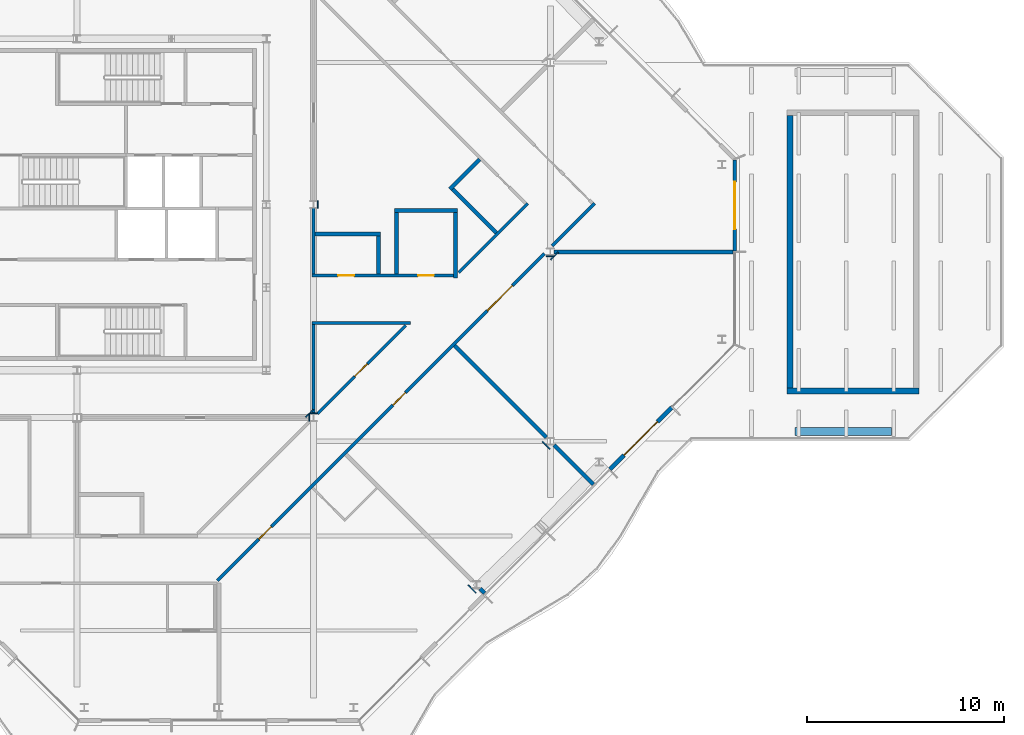
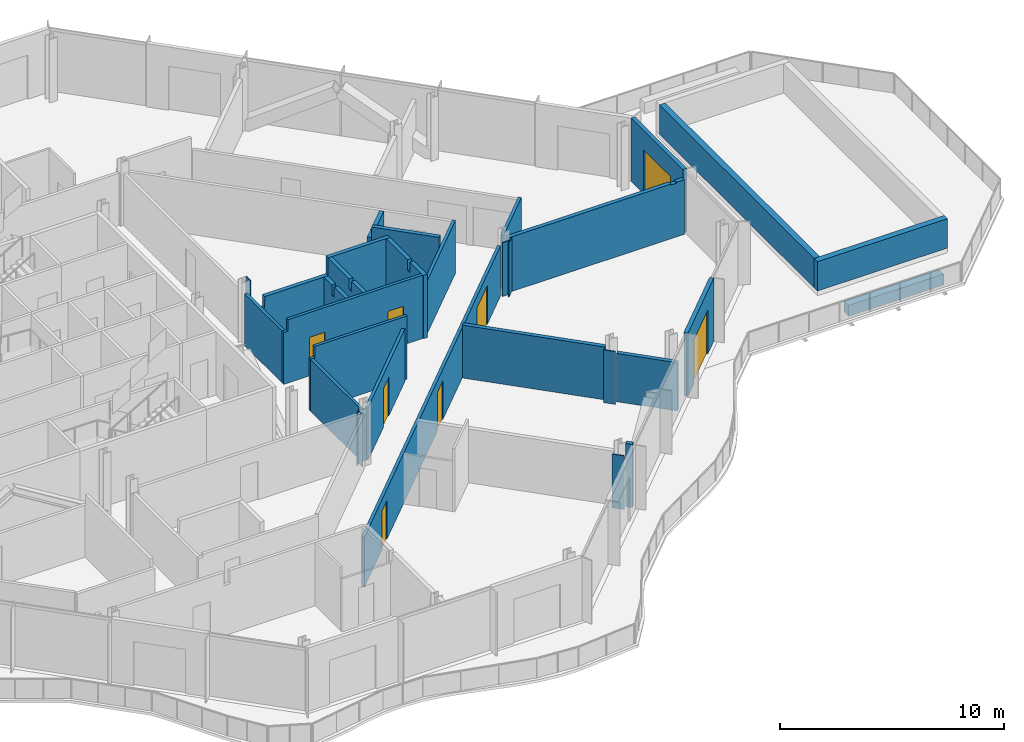
# One storey, part 9 of 16: 32 walls, 8 doors, 8 openings.
"""IFC4 building model written with IfcOpenShell, lengths in metres."""

from ifc_helpers import new_model, si_unit, direction, frame, frame_2d, origin, place, context, subcontext, project, spatial, polyline, rectangle, outline, extrude, material, layer, layer_set, type_object, element, fill, save


model = new_model("IFC4")

# Units and contexts
model_context = context("Model", 3, precision=1e-05, world=origin(), true_north=direction((0.0, 1.0)))
body_context = subcontext(model_context, "Body", "Model", "MODEL_VIEW")
ifc_project = project(units=[si_unit("LENGTHUNIT", "METRE"), si_unit("AREAUNIT", "SQUARE_METRE"), si_unit("VOLUMEUNIT", "CUBIC_METRE"), si_unit("PLANEANGLEUNIT", "RADIAN"), si_unit("MASSUNIT", "GRAM", prefix="KILO")], contexts=[model_context])

# Site, building, storey
site_placement = place(None, origin())
site = spatial("IfcSite", under=ifc_project, at=site_placement, CompositionType="ELEMENT")
building_placement = place(site_placement, origin())
building = spatial("IfcBuilding", under=site, at=building_placement, Name="Cairn Pilgrim Tower", CompositionType="ELEMENT")
storey_placement = place(building_placement, frame((0.0, 0.0, 267.0)))
storey = spatial("IfcBuildingStorey", under=building, at=storey_placement, Name="L68", CompositionType="ELEMENT", Elevation=267.0)

# Wall, opening, door
ifc_material_1 = material(Name="Bronze anodised aluminium insulated sandwich panel with mineral wool fill", Category="aluminium")
ifc_layer_1 = layer(ifc_material_1, 0.199951171875)
ifc_layer_set_1 = layer_set([ifc_layer_1], Name="BRONZE INFILL FRAME WALL 200")
wall_type_1 = type_object("IfcWallType", Name="BRONZE INFILL FRAME WALL 200", PredefinedType="NOTDEFINED", material=ifc_layer_set_1)
wall_1_placement = place(storey_placement, frame((34.219970703125, -11.0263671875, 0.0), z_axis=(0.0, 0.0, 1.0), x_axis=(0.707134329907, 0.707079231393, 0.0)))
wall_1 = element("IfcWall", 1, at=wall_1_placement, inside=storey, type_object=wall_type_1, Name="Bronze infill frame wall IW-SE5", PredefinedType="NOTDEFINED", context=body_context, shape_type="SweptSolid", body=[
    extrude(rectangle(XDim=4.430908203125, YDim=0.199951171875, at=frame_2d((2.21533203125, 0.0))), origin(), (0.0, 0.0, 1.0), 3.449951171875),
])
opening_1_placement = place(wall_1_placement, frame((1.01513671875, 0.0, 0.0)))
opening_1 = element("IfcOpeningElement", 2, at=opening_1_placement, cuts=wall_1, Name="Opening 6802B", PredefinedType="OPENING", context=body_context, shape_type="SweptSolid", body=[
    extrude(rectangle(XDim=2.39990234375, YDim=2.39990234375, at=frame_2d((1.199951171875, 1.199951171875))), frame((0.0, 0.10986328125, 0.0), z_axis=(0.0, -1.0, 0.0), x_axis=(1.0, 0.0, 0.0)), (0.0, 0.0, 1.0), 0.219970703125),
])
ifc_material_2 = material(Name="Bronze anodised aluminium frame with tinted low-E glass", Category="aluminium")
door_type_1 = type_object("IfcDoorType", Name="BALCONY SLIDING DOOR 2400x2400", OperationType="DOUBLE_DOOR_SLIDING", PredefinedType="DOOR", material=ifc_material_2)
door_1_placement = place(opening_1_placement, origin())
door_1 = element("IfcDoor", 3, at=door_1_placement, inside=storey, type_object=door_type_1, Name="Balcony sliding door 6802B", OperationType="SINGLE_SWING_LEFT", OverallHeight=2.39990234375, OverallWidth=2.39990234375, PredefinedType="DOOR", context=body_context, shape_type="SweptSolid", body=[
    extrude(rectangle(XDim=2.39990234375, YDim=2.39990234375, at=frame_2d((1.199951171875, 1.199951171875))), frame((0.0, 0.02490234375, 0.0), z_axis=(0.0, -1.0, 0.0), x_axis=(1.0, 0.0, 0.0)), (0.0, 0.0, 1.0), 0.050048828125),
])
fill(opening_1, door_1)

wall_2_placement = place(storey_placement, frame((40.550048828125, 0.030029296875, 0.0), z_axis=(0.0, 0.0, 1.0), x_axis=(0.0, 1.0, 0.0)))
wall_2 = element("IfcWall", 4, at=wall_2_placement, inside=storey, type_object=wall_type_1, Name="Bronze infill frame wall IW-E2", PredefinedType="NOTDEFINED", context=body_context, shape_type="SweptSolid", body=[
    extrude(rectangle(XDim=4.62646484375, YDim=0.199951171875, at=frame_2d((2.313232421875, 0.0))), origin(), (0.0, 0.0, 1.0), 3.449951171875),
])
opening_2_placement = place(wall_2_placement, frame((1.117919921875, 0.0, 0.0)))
opening_2 = element("IfcOpeningElement", 5, at=opening_2_placement, cuts=wall_2, Name="Opening 6801B2", PredefinedType="OPENING", context=body_context, shape_type="SweptSolid", body=[
    extrude(rectangle(XDim=2.39990234375, YDim=2.39990234375, at=frame_2d((1.199951171875, 1.199951171875))), frame((0.0, 0.10986328125, 0.0), z_axis=(0.0, -1.0, 0.0), x_axis=(1.0, 0.0, 0.0)), (0.0, 0.0, 1.0), 0.219970703125),
])
door_2_placement = place(opening_2_placement, origin())
door_2 = element("IfcDoor", 6, at=door_2_placement, inside=storey, type_object=door_type_1, Name="Balcony sliding door 6801B2", OperationType="SINGLE_SWING_LEFT", OverallHeight=2.39990234375, OverallWidth=2.39990234375, PredefinedType="DOOR", context=body_context, shape_type="SweptSolid", body=[
    extrude(rectangle(XDim=2.39990234375, YDim=2.39990234375, at=frame_2d((1.199951171875, 1.199951171875))), frame((0.0, 0.02490234375, 0.0), z_axis=(0.0, -1.0, 0.0), x_axis=(1.0, 0.0, 0.0)), (0.0, 0.0, 1.0), 0.050048828125),
])
fill(opening_2, door_2)

# Wall, openings, doors
ifc_material_3 = material(Name="Gypsum partition")
ifc_layer_2 = layer(ifc_material_3, 0.14990234375)
ifc_layer_set_2 = layer_set([ifc_layer_2], Name="PARTITION 150 DRYWALL EI 60")
wall_type_2 = type_object("IfcWallType", Name="PARTITION 150 DRYWALL EI 60", PredefinedType="PARTITIONING", material=ifc_layer_set_2)
wall_3_placement = place(storey_placement, frame((14.322021484375, -16.672119140625, 0.0), z_axis=(0.0, 0.0, 1.0), x_axis=(0.707106781187, 0.707106781187, 0.0)))
wall_3 = element("IfcWall", 7, at=wall_3_placement, inside=storey, type_object=wall_type_2, Name="PARTITION W009", PredefinedType="PARTITIONING", context=body_context, shape_type="SweptSolid", body=[
    extrude(rectangle(XDim=23.45166015625, YDim=0.14990234375, at=frame_2d((11.725830078125, 0.0))), origin(), (0.0, 0.0, 1.0), 2.72998046875),
])
opening_3_placement = place(wall_3_placement, frame((19.356689453125, 0.0, 0.0)))
opening_3 = element("IfcOpeningElement", 8, at=opening_3_placement, cuts=wall_3, Name="Opening 6802", PredefinedType="OPENING", context=body_context, shape_type="SweptSolid", body=[
    extrude(rectangle(XDim=1.800048828125, YDim=2.10009765625, at=frame_2d((0.89990234375, 1.050048828125))), frame((0.0, 0.0849609375, 0.0), z_axis=(0.0, -1.0, 0.0), x_axis=(1.0, 0.0, 0.0)), (0.0, 0.0, 1.0), 0.169921875),
])
opening_4_placement = place(wall_3_placement, frame((2.97509765625, 0.0, 0.0)))
opening_4 = element("IfcOpeningElement", 9, at=opening_4_placement, cuts=wall_3, Name="Opening 6803", PredefinedType="OPENING", context=body_context, shape_type="SweptSolid", body=[
    extrude(rectangle(XDim=0.89990234375, YDim=2.10009765625, at=frame_2d((0.449951171875, 1.050048828125))), frame((0.0, 0.0849609375, 0.0), z_axis=(0.0, -1.0, 0.0), x_axis=(1.0, 0.0, 0.0)), (0.0, 0.0, 1.0), 0.169921875),
])
opening_5_placement = place(wall_3_placement, frame((12.587158203125, 0.0, 0.0)))
opening_5 = element("IfcOpeningElement", 10, at=opening_5_placement, cuts=wall_3, Name="Opening 6804", PredefinedType="OPENING", context=body_context, shape_type="SweptSolid", body=[
    extrude(rectangle(XDim=0.89990234375, YDim=2.10009765625, at=frame_2d((0.449951171875, 1.050048828125))), frame((0.0, 0.0849609375, 0.0), z_axis=(0.0, -1.0, 0.0), x_axis=(1.0, 0.0, 0.0)), (0.0, 0.0, 1.0), 0.169921875),
])
ifc_material_4 = material(Name="Timber door leaf", Category="wood")
door_type_2 = type_object("IfcDoorType", Name="DOOR PAIR 1800x2100 FD60S", OperationType="NOTDEFINED", PredefinedType="DOOR", material=ifc_material_4)
door_3_placement = place(opening_3_placement, frame((1.800048828125, 0.0, 0.0), z_axis=(0.0, 0.0, 1.0), x_axis=(-1.0, 0.0, 0.0)))
door_3 = element("IfcDoor", 11, at=door_3_placement, inside=storey, type_object=door_type_2, Name="DOOR 6802", OperationType="DOUBLE_DOOR_SINGLE_SWING", OverallHeight=2.10009765625, OverallWidth=1.800048828125, PredefinedType="DOOR", context=body_context, shape_type="SweptSolid", body=[
    extrude(rectangle(XDim=1.800048828125, YDim=2.10009765625, at=frame_2d((0.89990234375, 1.050048828125))), frame((0.0, 0.02490234375, 0.0), z_axis=(0.0, -1.0, 0.0), x_axis=(1.0, 0.0, 0.0)), (0.0, 0.0, 1.0), 0.050048828125),
])
fill(opening_3, door_3)
door_type_3 = type_object("IfcDoorType", Name="ROOM DOOR 900x2100 FD30S", OperationType="NOTDEFINED", PredefinedType="DOOR", material=ifc_material_4)
door_4_placement = place(opening_4_placement, frame((0.89990234375, 0.0, 0.0), z_axis=(0.0, 0.0, 1.0), x_axis=(-1.0, 0.0, 0.0)))
door_4 = element("IfcDoor", 12, at=door_4_placement, inside=storey, type_object=door_type_3, Name="DOOR 6803", OperationType="SINGLE_SWING_RIGHT", OverallHeight=2.10009765625, OverallWidth=0.89990234375, PredefinedType="DOOR", context=body_context, shape_type="SweptSolid", body=[
    extrude(rectangle(XDim=0.89990234375, YDim=2.10009765625, at=frame_2d((0.449951171875, 1.050048828125))), frame((0.0, 0.02490234375, 0.0), z_axis=(0.0, -1.0, 0.0), x_axis=(1.0, 0.0, 0.0)), (0.0, 0.0, 1.0), 0.050048828125),
])
fill(opening_4, door_4)
door_type_4 = type_object("IfcDoorType", Name="SERVICE DOOR 900x2100 FD30S", OperationType="NOTDEFINED", PredefinedType="DOOR", material=ifc_material_4)
door_5_placement = place(opening_5_placement, frame((0.89990234375, 0.0, 0.0), z_axis=(0.0, 0.0, 1.0), x_axis=(-1.0, 0.0, 0.0)))
door_5 = element("IfcDoor", 13, at=door_5_placement, inside=storey, type_object=door_type_4, Name="DOOR 6804", OperationType="SINGLE_SWING_RIGHT", OverallHeight=2.10009765625, OverallWidth=0.89990234375, PredefinedType="DOOR", context=body_context, shape_type="SweptSolid", body=[
    extrude(rectangle(XDim=0.89990234375, YDim=2.10009765625, at=frame_2d((0.449951171875, 1.050048828125))), frame((0.0, 0.02490234375, 0.0), z_axis=(0.0, -1.0, 0.0), x_axis=(1.0, 0.0, 0.0)), (0.0, 0.0, 1.0), 0.050048828125),
])
fill(opening_5, door_5)

# Wall
wall_4_placement = place(storey_placement, frame((19.199951171875, -8.21240234375, 0.0), z_axis=(0.0, 0.0, 1.0), x_axis=(0.0, 1.0, 0.0)))
element("IfcWall", 14, at=wall_4_placement, inside=storey, type_object=wall_type_2, Name="PARTITION W028", PredefinedType="PARTITIONING", context=body_context, shape_type="SweptSolid", body=[
    extrude(rectangle(XDim=4.537353515625, YDim=0.14990234375, at=frame_2d((2.2685546875, 0.0))), origin(), (0.0, 0.0, 1.0), 2.830078125),
])

# Wall, opening, door
wall_5_placement = place(storey_placement, frame((19.392333984375, -8.207763671875, 0.0), z_axis=(0.0, 0.0, 1.0), x_axis=(0.707106781187, 0.707106781187, 0.0)))
wall_5 = element("IfcWall", 15, at=wall_5_placement, inside=storey, type_object=wall_type_2, Name="PARTITION W029", PredefinedType="PARTITIONING", context=body_context, shape_type="SweptSolid", body=[
    extrude(rectangle(XDim=6.335205078125, YDim=0.14990234375, at=frame_2d((3.16748046875, 0.0))), origin(), (0.0, 0.0, 1.0), 2.8798828125),
])
opening_6_placement = place(wall_5_placement, frame((2.672119140625, 0.0, 0.0)))
opening_6 = element("IfcOpeningElement", 16, at=opening_6_placement, cuts=wall_5, Name="Opening 6814", PredefinedType="OPENING", context=body_context, shape_type="SweptSolid", body=[
    extrude(rectangle(XDim=0.89990234375, YDim=2.10009765625, at=frame_2d((0.449951171875, 1.050048828125))), frame((0.0, 0.0849609375, 0.0), z_axis=(0.0, -1.0, 0.0), x_axis=(1.0, 0.0, 0.0)), (0.0, 0.0, 1.0), 0.169921875),
])
door_6_placement = place(opening_6_placement, origin())
door_6 = element("IfcDoor", 17, at=door_6_placement, inside=storey, type_object=door_type_4, Name="DOOR 6814", OperationType="SINGLE_SWING_LEFT", OverallHeight=2.10009765625, OverallWidth=0.89990234375, PredefinedType="DOOR", context=body_context, shape_type="SweptSolid", body=[
    extrude(rectangle(XDim=0.89990234375, YDim=2.10009765625, at=frame_2d((0.449951171875, 1.050048828125))), frame((0.0, 0.02490234375, 0.0), z_axis=(0.0, -1.0, 0.0), x_axis=(1.0, 0.0, 0.0)), (0.0, 0.0, 1.0), 0.050048828125),
])
fill(opening_6, door_6)

# Wall
wall_6_placement = place(storey_placement, frame((19.125, -3.60009765625, 0.0), z_axis=(0.0, 0.0, 1.0), x_axis=(1.0, 0.0, 0.0)))
element("IfcWall", 18, at=wall_6_placement, inside=storey, type_object=wall_type_2, Name="PARTITION W030", PredefinedType="PARTITIONING", context=body_context, shape_type="SweptSolid", body=[
    extrude(outline(polyline([(0.0, 0.0), (4.981201171875, 0.0), (4.981201171875, 3.449951171875), (0.22509765625, 3.449951171875), (0.222900390625, 2.830078125), (0.0, 2.830078125), (0.0, 0.0)])), frame((0.0, 0.074951171875, 0.0), z_axis=(0.0, -1.0, 0.0), x_axis=(1.0, 0.0, 0.0)), (0.0, 0.0, 1.0), 0.14990234375),
])

# Wall, openings, doors
wall_7_placement = place(storey_placement, frame((19.125, -1.199951171875, 0.0), z_axis=(0.0, 0.0, 1.0), x_axis=(1.0, 0.0, 0.0)))
wall_7 = element("IfcWall", 19, at=wall_7_placement, inside=storey, type_object=wall_type_2, Name="PARTITION W032", PredefinedType="PARTITIONING", context=body_context, shape_type="SweptSolid", body=[
    extrude(outline(polyline([(0.0, 0.0), (7.175048828125, 0.0), (7.175048828125, 3.449951171875), (0.22509765625, 3.449951171875), (0.222900390625, 2.830078125), (0.0, 2.830078125), (0.0, 0.0)])), frame((0.0, 0.074951171875, 0.0), z_axis=(0.0, -1.0, 0.0), x_axis=(1.0, 0.0, 0.0)), (0.0, 0.0, 1.0), 0.14990234375),
])
opening_7_placement = place(wall_7_placement, frame((5.375, 0.0, 0.0)))
opening_7 = element("IfcOpeningElement", 20, at=opening_7_placement, cuts=wall_7, Name="Opening 6810", PredefinedType="OPENING", context=body_context, shape_type="SweptSolid", body=[
    extrude(rectangle(XDim=0.800048828125, YDim=2.10009765625, at=frame_2d((0.39990234375, 1.050048828125))), frame((0.0, 0.0849609375, 0.0), z_axis=(0.0, -1.0, 0.0), x_axis=(1.0, 0.0, 0.0)), (0.0, 0.0, 1.0), 0.169921875),
])
opening_8_placement = place(wall_7_placement, frame((1.324951171875, 0.0, 0.0)))
opening_8 = element("IfcOpeningElement", 21, at=opening_8_placement, cuts=wall_7, Name="Opening 6811", PredefinedType="OPENING", context=body_context, shape_type="SweptSolid", body=[
    extrude(rectangle(XDim=0.800048828125, YDim=2.10009765625, at=frame_2d((0.39990234375, 1.050048828125))), frame((0.0, 0.0849609375, 0.0), z_axis=(0.0, -1.0, 0.0), x_axis=(1.0, 0.0, 0.0)), (0.0, 0.0, 1.0), 0.169921875),
])
door_type_5 = type_object("IfcDoorType", Name="WC DOOR 800x2100 FD30S", OperationType="NOTDEFINED", PredefinedType="DOOR", material=ifc_material_4)
door_7_placement = place(opening_7_placement, origin())
door_7 = element("IfcDoor", 22, at=door_7_placement, inside=storey, type_object=door_type_5, Name="DOOR 6810", OperationType="SINGLE_SWING_LEFT", OverallHeight=2.10009765625, OverallWidth=0.800048828125, PredefinedType="DOOR", context=body_context, shape_type="SweptSolid", body=[
    extrude(rectangle(XDim=0.800048828125, YDim=2.10009765625, at=frame_2d((0.39990234375, 1.050048828125))), frame((0.0, 0.02490234375, 0.0), z_axis=(0.0, -1.0, 0.0), x_axis=(1.0, 0.0, 0.0)), (0.0, 0.0, 1.0), 0.050048828125),
])
fill(opening_7, door_7)
door_8_placement = place(opening_8_placement, origin())
door_8 = element("IfcDoor", 23, at=door_8_placement, inside=storey, type_object=door_type_5, Name="DOOR 6811", OperationType="SINGLE_SWING_LEFT", OverallHeight=2.10009765625, OverallWidth=0.800048828125, PredefinedType="DOOR", context=body_context, shape_type="SweptSolid", body=[
    extrude(rectangle(XDim=0.800048828125, YDim=2.10009765625, at=frame_2d((0.39990234375, 1.050048828125))), frame((0.0, 0.02490234375, 0.0), z_axis=(0.0, -1.0, 0.0), x_axis=(1.0, 0.0, 0.0)), (0.0, 0.0, 1.0), 0.050048828125),
])
fill(opening_8, door_8)

# Walls
wall_8_placement = place(storey_placement, frame((19.199951171875, -1.125, 0.0), z_axis=(0.0, 0.0, 1.0), x_axis=(0.0, 1.0, 0.0)))
element("IfcWall", 24, at=wall_8_placement, inside=storey, type_object=wall_type_2, Name="PARTITION W033", PredefinedType="PARTITIONING", context=body_context, shape_type="SweptSolid", body=[
    extrude(rectangle(XDim=3.33740234375, YDim=0.14990234375, at=frame_2d((1.668701171875, 0.0))), origin(), (0.0, 0.0, 1.0), 2.830078125),
])
wall_9_placement = place(storey_placement, frame((26.552978515625, -1.047119140625, 0.0), z_axis=(0.0, 0.0, 1.0), x_axis=(0.707106781187, 0.707106781187, 0.0)))
element("IfcWall", 25, at=wall_9_placement, inside=storey, type_object=wall_type_2, Name="PARTITION W036", PredefinedType="PARTITIONING", context=body_context, shape_type="SweptSolid", body=[
    extrude(rectangle(XDim=4.94970703125, YDim=0.14990234375, at=frame_2d((2.474853515625, 0.0))), origin(), (0.0, 0.0, 1.0), 2.8798828125),
])
wall_10_placement = place(storey_placement, frame((31.289306640625, 0.29541015625, 0.0), z_axis=(0.0, 0.0, 1.0), x_axis=(0.707146786096, 0.707066774014, 0.0)))
element("IfcWall", 26, at=wall_10_placement, inside=storey, type_object=wall_type_2, Name="PARTITION W038", PredefinedType="PARTITIONING", context=body_context, shape_type="SweptSolid", body=[
    extrude(rectangle(XDim=3.05126953125, YDim=0.14990234375, at=frame_2d((1.525634765625, 0.0))), origin(), (0.0, 0.0, 1.0), 2.929931640625),
])
ifc_layer_3 = layer(ifc_material_3, 0.050048828125)
ifc_layer_set_3 = layer_set([ifc_layer_3], Name="PARTITION 50 DRYWALL EI 60")
wall_type_3 = type_object("IfcWallType", Name="PARTITION 50 DRYWALL EI 60", PredefinedType="PARTITIONING", material=ifc_layer_set_3)
wall_11_placement = place(storey_placement, frame((27.433837890625, -17.289306640625, 0.0), z_axis=(0.0, 0.0, 1.0), x_axis=(-0.707106781187, 0.707106781187, 0.0)))
element("IfcWall", 27, at=wall_11_placement, inside=storey, type_object=wall_type_3, Name="COLUMN CASING WC02", PredefinedType="PARTITIONING", context=body_context, shape_type="SweptSolid", body=[
    extrude(rectangle(XDim=0.56005859375, YDim=0.050048828125, at=frame_2d((0.280029296875, 0.0))), origin(), (0.0, 0.0, 1.0), 2.929931640625),
])
wall_12_placement = place(storey_placement, frame((31.2177734375, -0.402099609375, 0.0), z_axis=(0.0, 0.0, 1.0), x_axis=(0.707106781187, 0.707106781187, 0.0)))
element("IfcWall", 28, at=wall_12_placement, inside=storey, type_object=wall_type_3, Name="COLUMN CASING WC04", PredefinedType="PARTITIONING", context=body_context, shape_type="SweptSolid", body=[
    extrude(rectangle(XDim=0.543701171875, YDim=0.050048828125, at=frame_2d((0.27197265625, 0.0))), origin(), (0.0, 0.0, 1.0), 2.929931640625),
])
wall_13_placement = place(storey_placement, frame((18.7978515625, -8.38232421875, 0.0), z_axis=(0.0, 0.0, 1.0), x_axis=(0.707106781187, 0.707106781187, 0.0)))
element("IfcWall", 29, at=wall_13_placement, inside=storey, type_object=wall_type_3, Name="COLUMN CASING WC06", PredefinedType="PARTITIONING", context=body_context, shape_type="SweptSolid", body=[
    extrude(rectangle(XDim=0.543701171875, YDim=0.050048828125, at=frame_2d((0.27197265625, 0.0))), origin(), (0.0, 0.0, 1.0), 2.830078125),
])
wall_14_placement = place(storey_placement, frame((31.182373046875, -10.002197265625, 0.0), z_axis=(0.0, 0.0, 1.0), x_axis=(-0.707106781187, 0.707106781187, 0.0)))
element("IfcWall", 30, at=wall_14_placement, inside=storey, type_object=wall_type_3, Name="COLUMN CASING WC07", PredefinedType="PARTITIONING", context=body_context, shape_type="SweptSolid", body=[
    extrude(rectangle(XDim=0.543701171875, YDim=0.050048828125, at=frame_2d((0.27197265625, 0.0))), origin(), (0.0, 0.0, 1.0), 2.8798828125),
])
wall_15_placement = place(storey_placement, frame((19.0029296875, -8.1875, 0.0), z_axis=(0.0, 0.0, 1.0), x_axis=(1.0, 0.0, 0.0)))
element("IfcWall", 31, at=wall_15_placement, inside=storey, type_object=wall_type_3, Name="COLUMN CASING WC14", PredefinedType="PARTITIONING", context=body_context, shape_type="SweptSolid", body=[
    extrude(rectangle(XDim=0.39404296875, YDim=0.050048828125, at=frame_2d((0.197021484375, 0.0))), origin(), (0.0, 0.0, 1.0), 2.830078125),
])
wall_16_placement = place(storey_placement, frame((18.97802734375, -8.58740234375, 0.0), z_axis=(0.0, 0.0, 1.0), x_axis=(0.0, 1.0, 0.0)))
element("IfcWall", 32, at=wall_16_placement, inside=storey, type_object=wall_type_3, Name="COLUMN CASING WC15", PredefinedType="PARTITIONING", context=body_context, shape_type="SweptSolid", body=[
    extrude(rectangle(XDim=0.375, YDim=0.050048828125, at=frame_2d((0.1875, 0.0))), origin(), (0.0, 0.0, 1.0), 2.830078125),
])
wall_17_placement = place(storey_placement, frame((19.422119140625, 2.21240234375, 0.0), z_axis=(0.0, 0.0, 1.0), x_axis=(0.0, 1.0, 0.0)))
element("IfcWall", 33, at=wall_17_placement, inside=storey, type_object=wall_type_3, Name="COLUMN CASING WC16", PredefinedType="PARTITIONING", context=body_context, shape_type="SweptSolid", body=[
    extrude(rectangle(XDim=0.375, YDim=0.050048828125, at=frame_2d((0.1875, 0.0))), origin(), (0.0, 0.0, 1.0), 3.449951171875),
])
wall_18_placement = place(storey_placement, frame((31.0029296875, -0.21240234375, 0.0), z_axis=(0.0, 0.0, 1.0), x_axis=(1.0, 0.0, 0.0)))
element("IfcWall", 34, at=wall_18_placement, inside=storey, type_object=wall_type_3, Name="COLUMN CASING WC18", PredefinedType="PARTITIONING", context=body_context, shape_type="SweptSolid", body=[
    extrude(rectangle(XDim=0.39404296875, YDim=0.050048828125, at=frame_2d((0.197021484375, 0.0))), origin(), (0.0, 0.0, 1.0), 2.929931640625),
])
ifc_material_5 = material(Name="Concrete C35/45", Category="concrete")
ifc_layer_4 = layer(ifc_material_5, 0.39990234375)
ifc_layer_set_4 = layer_set([ifc_layer_4], Name="PLANTER TROUGH WALL 400 CONCRETE C35/45")
wall_type_4 = type_object("IfcWallType", Name="PLANTER TROUGH WALL 400 CONCRETE C35/45", PredefinedType="NOTDEFINED", material=ifc_layer_set_4)
wall_19_placement = place(storey_placement, frame((43.60009765625, -9.10009765625, 0.0), z_axis=(0.0, 0.0, 1.0), x_axis=(1.0, 0.0, 0.0)))
element("IfcWall", 35, at=wall_19_placement, inside=storey, type_object=wall_type_4, Name="Planter trough PL-S", PredefinedType="NOTDEFINED", context=body_context, shape_type="SweptSolid", body=[
    extrude(rectangle(XDim=4.89990234375, YDim=0.39990234375, at=frame_2d((2.449951171875, 0.0))), origin(), (0.0, 0.0, 1.0), 0.60009765625),
])
ifc_layer_5 = layer(ifc_material_3, 0.199951171875)
ifc_layer_set_5 = layer_set([ifc_layer_5], Name="SHAFT WALL 200 GYPSUM EI 60")
wall_type_5 = type_object("IfcWallType", Name="SHAFT WALL 200 GYPSUM EI 60", PredefinedType="PARTITIONING", material=ifc_layer_set_5)
wall_20_placement = place(storey_placement, frame((27.868896484375, -17.292724609375, 0.0), z_axis=(0.0, 0.0, 1.0), x_axis=(-0.707106781187, 0.707106781187, 0.0)))
element("IfcWall", 36, at=wall_20_placement, inside=storey, type_object=wall_type_5, Name="PARTITION W006", PredefinedType="PARTITIONING", context=body_context, shape_type="SweptSolid", body=[
    extrude(rectangle(XDim=0.31005859375, YDim=0.199951171875, at=frame_2d((0.155029296875, 0.0))), origin(), (0.0, 0.0, 1.0), 3.449951171875),
])
wall_21_placement = place(storey_placement, frame((33.380859375, -11.78076171875, 0.0), z_axis=(0.0, 0.0, 1.0), x_axis=(-0.707106781187, 0.707106781187, 0.0)))
element("IfcWall", 37, at=wall_21_placement, inside=storey, type_object=wall_type_5, Name="PARTITION W021", PredefinedType="PARTITIONING", context=body_context, shape_type="SweptSolid", body=[
    extrude(rectangle(XDim=2.812255859375, YDim=0.199951171875, at=frame_2d((1.40625, 0.0))), origin(), (0.0, 0.0, 1.0), 2.6298828125),
])
wall_22_placement = place(storey_placement, frame((31.0078125, -9.40771484375, 0.0), z_axis=(0.0, 0.0, 1.0), x_axis=(-0.707106781187, 0.707106781187, 0.0)))
element("IfcWall", 38, at=wall_22_placement, inside=storey, type_object=wall_type_5, Name="PARTITION W024", PredefinedType="PARTITIONING", context=body_context, shape_type="SweptSolid", body=[
    extrude(rectangle(XDim=6.5869140625, YDim=0.199951171875, at=frame_2d((3.29345703125, 0.0))), origin(), (0.0, 0.0, 1.0), 2.8798828125),
])
wall_23_placement = place(storey_placement, frame((26.39990234375, -1.31640625, 0.0), z_axis=(0.0, 0.0, 1.0), x_axis=(0.0, 1.0, 0.0)))
element("IfcWall", 39, at=wall_23_placement, inside=storey, type_object=wall_type_5, Name="PARTITION W031", PredefinedType="PARTITIONING", context=body_context, shape_type="SweptSolid", body=[
    extrude(outline(polyline([(0.0, 0.0), (3.31640625, 0.0), (3.31640625, 3.449951171875), (1.42138671875, 3.449951171875), (1.41943359375, 2.8798828125), (1.21142578125, 2.8798828125), (1.20947265625, 3.449951171875), (0.0, 3.449951171875), (0.0, 0.0)])), frame((0.0, 0.10009765625, 0.0), z_axis=(0.0, -1.0, 0.0), x_axis=(1.0, 0.0, 0.0)), (0.0, 0.0, 1.0), 0.199951171875),
])
wall_24_placement = place(storey_placement, frame((22.5, -1.125, 0.0), z_axis=(0.0, 0.0, 1.0), x_axis=(0.0, 1.0, 0.0)))
element("IfcWall", 40, at=wall_24_placement, inside=storey, type_object=wall_type_5, Name="PARTITION W034", PredefinedType="PARTITIONING", context=body_context, shape_type="SweptSolid", body=[
    extrude(outline(polyline([(0.0, 0.0), (1.925048828125, 0.0), (1.925048828125, 3.449951171875), (1.22998046875, 3.449951171875), (1.22802734375, 2.8798828125), (1.02001953125, 2.8798828125), (1.01806640625, 3.449951171875), (0.0, 3.449951171875), (0.0, 0.0)])), frame((0.0, 0.10009765625, 0.0), z_axis=(0.0, -1.0, 0.0), x_axis=(1.0, 0.0, 0.0)), (0.0, 0.0, 1.0), 0.199951171875),
])
wall_25_placement = place(storey_placement, frame((23.39990234375, -1.125, 0.0), z_axis=(0.0, 0.0, 1.0), x_axis=(0.0, 1.0, 0.0)))
element("IfcWall", 41, at=wall_25_placement, inside=storey, type_object=wall_type_5, Name="PARTITION W035", PredefinedType="PARTITIONING", context=body_context, shape_type="SweptSolid", body=[
    extrude(outline(polyline([(0.0, 0.0), (3.125, 0.0), (3.125, 3.449951171875), (1.22998046875, 3.449951171875), (1.22802734375, 2.8798828125), (1.02001953125, 2.8798828125), (1.01806640625, 3.449951171875), (0.0, 3.449951171875), (0.0, 0.0)])), frame((0.0, 0.10009765625, 0.0), z_axis=(0.0, -1.0, 0.0), x_axis=(1.0, 0.0, 0.0)), (0.0, 0.0, 1.0), 0.199951171875),
])
wall_26_placement = place(storey_placement, frame((31.39697265625, 0.0, 0.0), z_axis=(0.0, 0.0, 1.0), x_axis=(1.0, 0.0, 0.0)))
element("IfcWall", 42, at=wall_26_placement, inside=storey, type_object=wall_type_5, Name="PARTITION W037", PredefinedType="PARTITIONING", context=body_context, shape_type="SweptSolid", body=[
    extrude(outline(polyline([(0.0, 0.0), (9.052978515625, 0.0), (9.052978515625, 2.97998046875), (8.653076171875, 2.97998046875), (8.65087890625, 2.929931640625), (8.35302734375, 2.929931640625), (8.35107421875, 2.97998046875), (0.0, 2.97998046875), (0.0, 0.0)])), frame((0.0, 0.10009765625, 0.0), z_axis=(0.0, -1.0, 0.0), x_axis=(1.0, 0.0, 0.0)), (0.0, 0.0, 1.0), 0.199951171875),
])
wall_27_placement = place(storey_placement, frame((19.27490234375, 0.89990234375, 0.0), z_axis=(0.0, 0.0, 1.0), x_axis=(1.0, 0.0, 0.0)))
element("IfcWall", 43, at=wall_27_placement, inside=storey, type_object=wall_type_5, Name="PARTITION W039", PredefinedType="PARTITIONING", context=body_context, shape_type="SweptSolid", body=[
    extrude(outline(polyline([(0.0, 0.0), (3.3251953125, 0.0), (3.324951171875, 3.449951171875), (0.074951171875, 3.449951171875), (0.072998046875, 2.830078125), (0.0, 2.830078125), (0.0, 0.0)])), frame((0.0, 0.10009765625, 0.0), z_axis=(0.0, -1.0, 0.0), x_axis=(1.0, 0.0, 0.0)), (0.0, 0.0, 1.0), 0.199951171875),
])
wall_28_placement = place(storey_placement, frame((28.4619140625, 0.968017578125, 0.0), z_axis=(0.0, 0.0, 1.0), x_axis=(-0.707106781187, 0.707106781187, 0.0)))
element("IfcWall", 44, at=wall_28_placement, inside=storey, type_object=wall_type_5, Name="PARTITION W040", PredefinedType="PARTITIONING", context=body_context, shape_type="SweptSolid", body=[
    extrude(rectangle(XDim=3.124267578125, YDim=0.199951171875, at=frame_2d((1.56201171875, 0.0))), origin(), (0.0, 0.0, 1.0), 3.449951171875),
])
wall_29_placement = place(storey_placement, frame((23.300048828125, 2.10009765625, 0.0), z_axis=(0.0, 0.0, 1.0), x_axis=(1.0, 0.0, 0.0)))
element("IfcWall", 45, at=wall_29_placement, inside=storey, type_object=wall_type_5, Name="PARTITION W041", PredefinedType="PARTITIONING", context=body_context, shape_type="SweptSolid", body=[
    extrude(rectangle(XDim=3.199951171875, YDim=0.199951171875, at=frame_2d((1.60009765625, 0.0))), origin(), (0.0, 0.0, 1.0), 3.449951171875),
])
wall_30_placement = place(storey_placement, frame((26.111328125, 3.17724609375, 0.0), z_axis=(0.0, 0.0, 1.0), x_axis=(0.70658957541, 0.707623608935, 0.0)))
element("IfcWall", 46, at=wall_30_placement, inside=storey, type_object=wall_type_5, Name="PARTITION W046", PredefinedType="PARTITIONING", context=body_context, shape_type="SweptSolid", body=[
    extrude(rectangle(XDim=2.125, YDim=0.199951171875, at=frame_2d((1.0625, 0.0))), origin(), (0.0, 0.0, 1.0), 2.8798828125),
])
ifc_layer_6 = layer(ifc_material_5, 0.300048828125)
ifc_layer_set_6 = layer_set([ifc_layer_6], Name="SKY POOL WALL 300 CONCRETE C35/45")
wall_type_6 = type_object("IfcWallType", Name="SKY POOL WALL 300 CONCRETE C35/45", PredefinedType="NOTDEFINED", material=ifc_layer_set_6)
wall_31_placement = place(storey_placement, frame((43.199951171875, -7.050048828125, 0.25), z_axis=(0.0, 0.0, 1.0), x_axis=(1.0, 0.0, 0.0)))
element("IfcWall", 47, at=wall_31_placement, inside=storey, type_object=wall_type_6, Name="Sky pool wall S", PredefinedType="NOTDEFINED", context=body_context, shape_type="SweptSolid", body=[
    extrude(rectangle(XDim=6.699951171875, YDim=0.300048828125, at=frame_2d((3.35009765625, 0.0))), origin(), (0.0, 0.0, 1.0), 1.60009765625),
])
wall_32_placement = place(storey_placement, frame((43.35009765625, -6.89990234375, 0.25), z_axis=(0.0, 0.0, 1.0), x_axis=(0.0, 1.0, 0.0)))
element("IfcWall", 48, at=wall_32_placement, inside=storey, type_object=wall_type_6, Name="Sky pool wall W", PredefinedType="NOTDEFINED", context=body_context, shape_type="SweptSolid", body=[
    extrude(rectangle(XDim=13.7998046875, YDim=0.300048828125, at=frame_2d((6.89990234375, 0.0))), origin(), (0.0, 0.0, 1.0), 1.60009765625),
])

save(model, "model.ifc")
